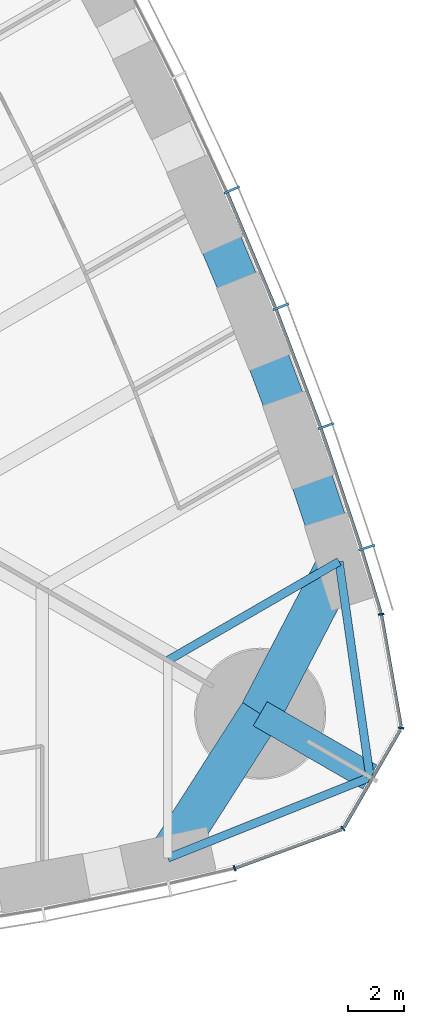
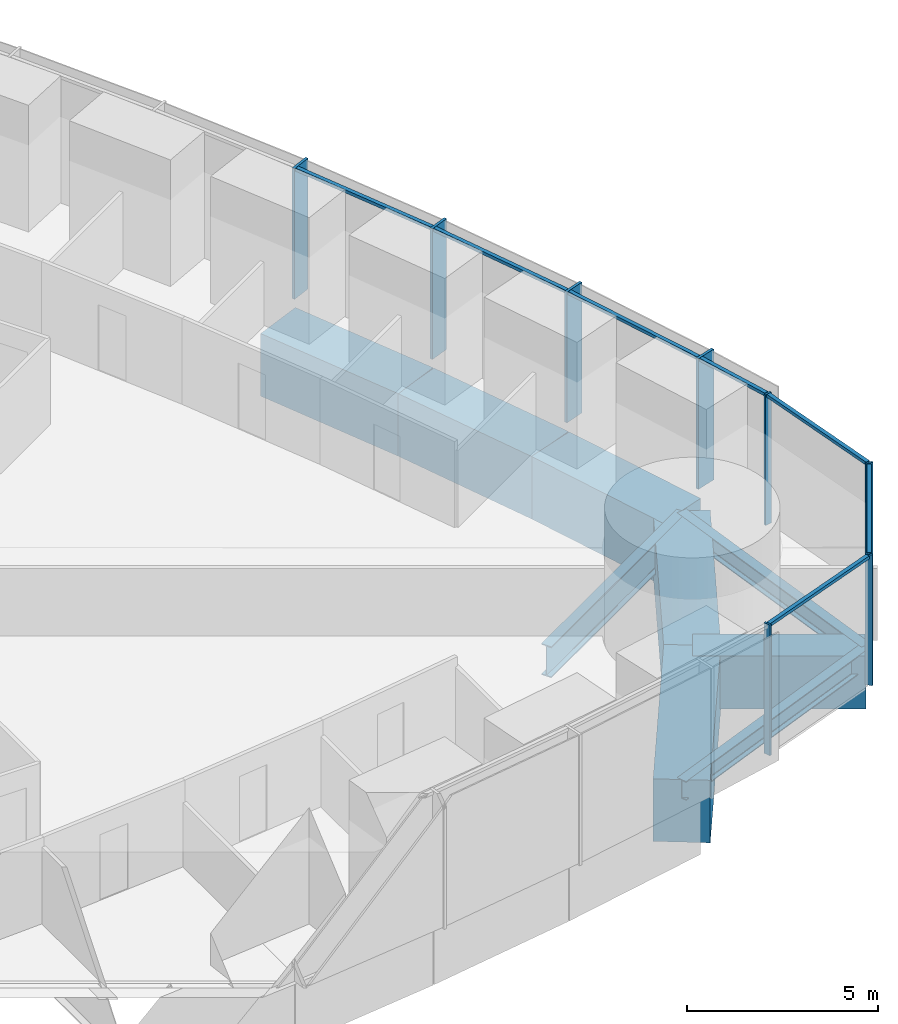
# One storey, part 7 of 20: 15 members, 9 beams, 2 elements without a shape of their own.
"""IFC4 building model written with IfcOpenShell, lengths in metres."""

from ifc_helpers import new_model, si_unit, direction, frame, origin, origin_2d, place, context, subcontext, project, spatial, rectangle, i_section, extrude, material, material_profile, profile_set, type_object, element, aggregate, save


model = new_model("IFC4")

# Units and contexts
model_context = context("Model", 3, precision=1e-05, world=origin(), true_north=direction((0.0, 1.0)))
body_context = subcontext(model_context, "Body", "Model", "MODEL_VIEW")
ifc_project = project(units=[si_unit("LENGTHUNIT", "METRE"), si_unit("AREAUNIT", "SQUARE_METRE"), si_unit("VOLUMEUNIT", "CUBIC_METRE"), si_unit("PLANEANGLEUNIT", "RADIAN"), si_unit("MASSUNIT", "GRAM", prefix="KILO")], contexts=[model_context])

# Site, building, storey
site_placement = place(None, origin())
site = spatial("IfcSite", under=ifc_project, at=site_placement, CompositionType="ELEMENT")
building_placement = place(site_placement, origin())
building = spatial("IfcBuilding", under=site, at=building_placement, Name="Trefoil Bronze Tower", CompositionType="ELEMENT")
storey_placement = place(building_placement, frame((0.0, 0.0, 103.10009765625)))
storey = spatial("IfcBuildingStorey", under=building, at=storey_placement, Name="L23", CompositionType="ELEMENT", Elevation=103.10009765625)

# Curtain wall, members
ifc_material_1 = material(Name="Tinted solar-control glass", Category="glass")
curtain_wall_type_1 = type_object("IfcCurtainWallType", Name="Bronze office curtain wall", PredefinedType="USERDEFINED", material=ifc_material_1)
curtain_wall_1_placement = place(storey_placement, origin())
curtain_wall_1 = element("IfcCurtainWall", 1, at=curtain_wall_1_placement, inside=storey, type_object=curtain_wall_type_1, Name="CW-A L23 F2", ObjectType="CURTAIN WALL", PredefinedType="USERDEFINED")
ifc_material_2 = material(Name="Bronze-finish aluminium", Category="aluminium")
ifc_material_profile_1 = material_profile(ifc_material_2, rectangle(XDim=0.60009765625, YDim=0.080078125, at=origin_2d()), Name="CW-A mullion")
ifc_profile_set_1 = profile_set([ifc_material_profile_1], Name="Bronze-finish aluminium")
member_type_1 = type_object("IfcMemberType", Name="Bronze office curtain wall mullion", PredefinedType="MULLION", material=ifc_profile_set_1)
member_1_placement = place(storey_placement, frame((34.1337890625, -11.543212890625, 0.0), z_axis=(0.0, 0.0, 1.0), x_axis=(-0.952331125357, -0.30506626768, 0.0)))
member_1 = element("IfcMember", 2, at=member_1_placement, type_object=member_type_1, Name="CW-A L23 F2 mullion 2", PredefinedType="MULLION", context=body_context, shape_type="SweptSolid", body=[
    extrude(rectangle(XDim=0.60009765625, YDim=0.080078125, at=origin_2d()), origin(), (0.0, 0.0, 1.0), 4.179931640625),
])
member_2_placement = place(storey_placement, frame((32.668701171875, -7.181884765625, 0.0), z_axis=(0.0, 0.0, 1.0), x_axis=(-0.94196250502, -0.335718094742, 0.0)))
member_2 = element("IfcMember", 3, at=member_2_placement, type_object=member_type_1, Name="CW-A L23 F2 mullion 3", PredefinedType="MULLION", context=body_context, shape_type="SweptSolid", body=[
    extrude(rectangle(XDim=0.60009765625, YDim=0.080078125, at=origin_2d()), origin(), (0.0, 0.0, 1.0), 4.179931640625),
])
member_3_placement = place(storey_placement, frame((31.055419921875, -2.90478515625, 0.0), z_axis=(0.0, 0.0, 1.0), x_axis=(-0.929071242848, -0.369900832269, 0.0)))
member_3 = element("IfcMember", 4, at=member_3_placement, type_object=member_type_1, Name="CW-A L23 F2 mullion 4", PredefinedType="MULLION", context=body_context, shape_type="SweptSolid", body=[
    extrude(rectangle(XDim=0.60009765625, YDim=0.080078125, at=origin_2d()), origin(), (0.0, 0.0, 1.0), 4.179931640625),
])
member_4_placement = place(storey_placement, frame((29.296875, 1.28857421875, 0.0), z_axis=(0.0, 0.0, 1.0), x_axis=(-0.915018269914, -0.40341240155, 0.0)))
member_4 = element("IfcMember", 5, at=member_4_placement, type_object=member_type_1, Name="CW-A L23 F2 mullion 5", PredefinedType="MULLION", context=body_context, shape_type="SweptSolid", body=[
    extrude(rectangle(XDim=0.60009765625, YDim=0.080078125, at=origin_2d()), origin(), (0.0, 0.0, 1.0), 4.179931640625),
])
ifc_material_3 = material(Name="Bronze-finish aluminium", Category="aluminium")
ifc_material_profile_2 = material_profile(ifc_material_3, rectangle(XDim=0.1201171875, YDim=0.10009765625, at=origin_2d()), Name="CW-A transom")
ifc_profile_set_2 = profile_set([ifc_material_profile_2], Name="Bronze-finish aluminium")
member_type_2 = type_object("IfcMemberType", Name="Bronze office curtain wall transom", PredefinedType="USERDEFINED", material=ifc_profile_set_2)
member_5_placement = place(storey_placement, frame((34.637939453125, -13.88232421875, 4.1298828125), z_axis=(-0.291680468798, 0.956515814883, 0.0), x_axis=(-0.956515814883, -0.291680468798, 0.0)))
member_5 = element("IfcMember", 6, at=member_5_placement, type_object=member_type_2, Name="CW-A L23 F2 transom 1", ObjectType="TRANSOM", PredefinedType="USERDEFINED", context=body_context, shape_type="SweptSolid", body=[
    extrude(rectangle(XDim=0.1201171875, YDim=0.10009765625, at=origin_2d()), origin(), (0.0, 0.0, 1.0), 2.34033203125),
])
member_6_placement = place(storey_placement, frame((33.929931640625, -11.56494140625, 4.1298828125), z_axis=(-0.318386323729, 0.947961048178, 0.0), x_axis=(-0.947961048178, -0.318386323729, 0.0)))
member_6 = element("IfcMember", 7, at=member_6_placement, type_object=member_type_2, Name="CW-A L23 F2 transom 2", ObjectType="TRANSOM", PredefinedType="USERDEFINED", context=body_context, shape_type="SweptSolid", body=[
    extrude(rectangle(XDim=0.1201171875, YDim=0.10009765625, at=origin_2d()), origin(), (0.0, 0.0, 1.0), 4.51123046875),
])
member_7_placement = place(storey_placement, frame((32.465576171875, -7.2099609375, 4.1298828125), z_axis=(-0.352932154759, 0.935648916067, 0.0), x_axis=(-0.935648916067, -0.352932154759, 0.0)))
member_7 = element("IfcMember", 8, at=member_7_placement, type_object=member_type_2, Name="CW-A L23 F2 transom 3", ObjectType="TRANSOM", PredefinedType="USERDEFINED", context=body_context, shape_type="SweptSolid", body=[
    extrude(rectangle(XDim=0.1201171875, YDim=0.10009765625, at=origin_2d()), origin(), (0.0, 0.0, 1.0), 4.48046875),
])
member_8_placement = place(storey_placement, frame((30.853515625, -2.940185546875, 4.1298828125), z_axis=(-0.386773266184, 0.922174842731, 0.0), x_axis=(-0.922174842731, -0.386773266184, 0.0)))
member_8 = element("IfcMember", 9, at=member_8_placement, type_object=member_type_2, Name="CW-A L23 F2 transom 4", ObjectType="TRANSOM", PredefinedType="USERDEFINED", context=body_context, shape_type="SweptSolid", body=[
    extrude(rectangle(XDim=0.1201171875, YDim=0.10009765625, at=origin_2d()), origin(), (0.0, 0.0, 1.0), 4.45654296875),
])
aggregate(curtain_wall_1, [member_1, member_2, member_3, member_4, member_5, member_6, member_7, member_8])

ifc_material_4 = material(Name="Tinted solar-control glass", Category="glass")
curtain_wall_type_2 = type_object("IfcCurtainWallType", Name="Bronze rounded corner curtain wall", PredefinedType="USERDEFINED", material=ifc_material_4)
curtain_wall_2_placement = place(storey_placement, origin())
curtain_wall_2 = element("IfcCurtainWall", 10, at=curtain_wall_2_placement, inside=storey, type_object=curtain_wall_type_2, Name="CW-B L23 K1", ObjectType="CURTAIN WALL", PredefinedType="USERDEFINED")
ifc_material_5 = material(Name="Bronze-finish aluminium", Category="aluminium")
ifc_material_profile_3 = material_profile(ifc_material_5, rectangle(XDim=0.199951171875, YDim=0.06005859375, at=origin_2d()), Name="CW-B mullion")
ifc_profile_set_3 = profile_set([ifc_material_profile_3], Name="Bronze-finish aluminium")
member_type_3 = type_object("IfcMemberType", Name="Bronze rounded corner curtain wall mullion", PredefinedType="MULLION", material=ifc_profile_set_3)
member_9_placement = place(storey_placement, frame((29.391845703125, -23.043701171875, 0.0), z_axis=(0.0, 0.0, 1.0), x_axis=(-0.342020143326, 0.939692620786, 0.0)))
member_9 = element("IfcMember", 11, at=member_9_placement, type_object=member_type_3, Name="CW-B L23 K1 mullion 1", PredefinedType="MULLION", context=body_context, shape_type="SweptSolid", body=[
    extrude(rectangle(XDim=0.199951171875, YDim=0.06005859375, at=origin_2d()), origin(), (0.0, 0.0, 1.0), 4.179931640625),
])
member_10_placement = place(storey_placement, frame((33.27880859375, -21.62255859375, 0.0), z_axis=(0.0, 0.0, 1.0), x_axis=(-0.642787609687, 0.766044443119, 0.0)))
member_10 = element("IfcMember", 12, at=member_10_placement, type_object=member_type_3, Name="CW-B L23 K1 mullion 2", PredefinedType="MULLION", context=body_context, shape_type="SweptSolid", body=[
    extrude(rectangle(XDim=0.199951171875, YDim=0.06005859375, at=origin_2d()), origin(), (0.0, 0.0, 1.0), 4.179931640625),
])
member_11_placement = place(storey_placement, frame((35.364990234375, -18.009033203125, 0.0), z_axis=(0.0, 0.0, 1.0), x_axis=(-0.984807753012, 0.173648177667, 0.0)))
member_11 = element("IfcMember", 13, at=member_11_placement, type_object=member_type_3, Name="CW-B L23 K1 mullion 3", PredefinedType="MULLION", context=body_context, shape_type="SweptSolid", body=[
    extrude(rectangle(XDim=0.199951171875, YDim=0.06005859375, at=origin_2d()), origin(), (0.0, 0.0, 1.0), 4.179931640625),
])
member_12_placement = place(storey_placement, frame((34.65234375, -13.932373046875, 0.0), z_axis=(0.0, 0.0, 1.0), x_axis=(-0.984807753012, -0.173648177667, 0.0)))
member_12 = element("IfcMember", 14, at=member_12_placement, type_object=member_type_3, Name="CW-B L23 K1 mullion 4", PredefinedType="MULLION", context=body_context, shape_type="SweptSolid", body=[
    extrude(rectangle(XDim=0.199951171875, YDim=0.06005859375, at=origin_2d()), origin(), (0.0, 0.0, 1.0), 4.179931640625),
])
ifc_material_6 = material(Name="Bronze-finish aluminium", Category="aluminium")
ifc_material_profile_4 = material_profile(ifc_material_6, rectangle(XDim=0.1201171875, YDim=0.10009765625, at=origin_2d()), Name="CW-B transom")
ifc_profile_set_4 = profile_set([ifc_material_profile_4], Name="Bronze-finish aluminium")
member_type_4 = type_object("IfcMemberType", Name="Bronze rounded corner curtain wall transom", PredefinedType="USERDEFINED", material=ifc_profile_set_4)
member_13_placement = place(storey_placement, frame((29.420166015625, -23.033447265625, 4.1298828125), z_axis=(0.939684096629, 0.342043562347, 0.0), x_axis=(-0.342043562347, 0.939684096629, 0.0)))
member_13 = element("IfcMember", 15, at=member_13_placement, type_object=member_type_4, Name="CW-B L23 K1 transom 1", ObjectType="TRANSOM", PredefinedType="USERDEFINED", context=body_context, shape_type="SweptSolid", body=[
    extrude(rectangle(XDim=0.1201171875, YDim=0.10009765625, at=origin_2d()), origin(), (0.0, 0.0, 1.0), 4.044189453125),
])
member_14_placement = place(storey_placement, frame((33.31591796875, -21.570068359375, 4.1298828125), z_axis=(0.500015078168, 0.866016698225, 0.0), x_axis=(-0.866016698225, 0.500015078168, 0.0)))
member_14 = element("IfcMember", 16, at=member_14_placement, type_object=member_type_4, Name="CW-B L23 K1 transom 2", ObjectType="TRANSOM", PredefinedType="USERDEFINED", context=body_context, shape_type="SweptSolid", body=[
    extrude(rectangle(XDim=0.1201171875, YDim=0.10009765625, at=origin_2d()), origin(), (0.0, 0.0, 1.0), 4.04443359375),
])
member_15_placement = place(storey_placement, frame((35.35986328125, -17.944580078125, 4.1298828125), z_axis=(-0.173682016639, 0.984801785689, 0.0), x_axis=(-0.984801785689, -0.173682016639, 0.0)))
member_15 = element("IfcMember", 17, at=member_15_placement, type_object=member_type_4, Name="CW-B L23 K1 transom 3", ObjectType="TRANSOM", PredefinedType="USERDEFINED", context=body_context, shape_type="SweptSolid", body=[
    extrude(rectangle(XDim=0.1201171875, YDim=0.10009765625, at=origin_2d()), origin(), (0.0, 0.0, 1.0), 4.044189453125),
])
aggregate(curtain_wall_2, [member_9, member_10, member_11, member_12, member_13, member_14, member_15])

# Beams
ifc_material_7 = material(Name="Concrete B80", Category="concrete")
ifc_material_profile_5 = material_profile(ifc_material_7, rectangle(XDim=1.0, YDim=1.699951171875, at=origin_2d()), Name="RC 1000x1700")
ifc_profile_set_5 = profile_set([ifc_material_profile_5], Name="Concrete B80")
beam_type_1 = type_object("IfcBeamType", Name="Corner cantilever RC 1000x1700", PredefinedType="BEAM", material=ifc_profile_set_5)
beam_1_placement = place(storey_placement, frame((30.310791015625, -17.5, -1.050048828125), z_axis=(0.866031878637, -0.499988785058, 0.0), x_axis=(0.499988785058, 0.866031878637, 0.0)))
element("IfcBeam", 18, at=beam_1_placement, inside=storey, type_object=beam_type_1, Name="Corner cantilever K1 L23", PredefinedType="BEAM", context=body_context, shape_type="SweptSolid", body=[
    extrude(rectangle(XDim=1.0, YDim=1.699951171875, at=origin_2d()), origin(), (0.0, 0.0, 1.0), 4.54931640625),
])
ifc_material_8 = material(Name="Steel C355", Category="steel")
ifc_material_profile_6 = material_profile(ifc_material_8, i_section(OverallWidth=0.300048828125, OverallDepth=0.60009765625, WebThickness=0.015380859375, FlangeThickness=0.030029296875, FilletRadius=0.027099609375, at=origin_2d()), Name="HEB 600")
ifc_profile_set_6 = profile_set([ifc_material_profile_6], Name="Steel C355")
beam_type_2 = type_object("IfcBeamType", Name="Corner edge beam HEB 600", PredefinedType="BEAM", material=ifc_profile_set_6)
for number, where, z_axis, x_axis, name in (
    (19, (27.0, -22.67724609375, -0.5), (0.928375332495, 0.371643972122, 0.0), (-0.371643972122, 0.928375332495, 0.0), "Corner edge beam F1A L23"),
    (20, (33.13916015625, -12.044189453125, -0.5), (0.142327214588, -0.989819662357, 0.0), (0.989819662357, 0.142327214588, 0.0), "Corner edge beam F2B L23"),
):
    element("IfcBeam", number, at=place(storey_placement, frame(where, z_axis=z_axis, x_axis=x_axis)), inside=storey, type_object=beam_type_2, Name=name, PredefinedType="BEAM", context=body_context, shape_type="SweptSolid", body=[
        extrude(i_section(OverallWidth=0.300048828125, OverallDepth=0.60009765625, WebThickness=0.015380859375, FlangeThickness=0.030029296875, FilletRadius=0.027099609375, at=origin_2d()), origin(), (0.0, 0.0, 1.0), 7.81005859375),
    ])
ifc_material_9 = material(Name="Concrete B80", Category="concrete")
ifc_material_profile_7 = material_profile(ifc_material_9, rectangle(XDim=1.5, YDim=2.0, at=origin_2d()), Name="RC 1500x2000")
ifc_profile_set_7 = profile_set([ifc_material_profile_7], Name="Concrete B80")
beam_type_3 = type_object("IfcBeamType", Name="End spandrel beam RC 1500x2000", PredefinedType="SPANDREL", material=ifc_profile_set_7)
for number, where, z_axis, x_axis, name in (
    (21, (27.0, -22.67724609375, -1.2001953125), (0.53874814953, 0.84246687257, 0.0), (-0.84246687257, 0.53874814953, 0.0), "Spandrel F1.14 L23"),
    (22, (30.310791015625, -17.5, -1.2001953125), (0.460244107083, 0.887792409235, 0.0), (-0.887792409235, 0.460244107083, 0.0), "Spandrel F2.1 L23"),
):
    element("IfcBeam", number, at=place(storey_placement, frame(where, z_axis=z_axis, x_axis=x_axis)), inside=storey, type_object=beam_type_3, Name=name, PredefinedType="SPANDREL", context=body_context, shape_type="SweptSolid", body=[
        extrude(rectangle(XDim=1.5, YDim=2.0, at=origin_2d()), origin(), (0.0, 0.0, 1.0), 6.145263671875),
    ])
ifc_material_10 = material(Name="Steel C355", Category="steel")
ifc_material_profile_8 = material_profile(ifc_material_10, i_section(OverallWidth=0.300048828125, OverallDepth=1.0, WebThickness=0.01904296875, FlangeThickness=0.035888671875, FilletRadius=0.030029296875, at=origin_2d()), Name="HEB 1000")
ifc_profile_set_8 = profile_set([ifc_material_profile_8], Name="Steel C355")
beam_type_4 = type_object("IfcBeamType", Name="Floor beam HEB 1000", PredefinedType="BEAM", material=ifc_profile_set_8)
beam_2_placement = place(storey_placement, frame((33.13916015625, -12.044189453125, -0.7001953125), z_axis=(-0.866041060244, -0.499972881236, 0.0), x_axis=(0.499972881236, -0.866041060244, 0.0)))
element("IfcBeam", 23, at=beam_2_placement, inside=storey, type_object=beam_type_4, Name="Floor beam F2/-6 L23", PredefinedType="BEAM", context=body_context, shape_type="SweptSolid", body=[
    extrude(i_section(OverallWidth=0.300048828125, OverallDepth=1.0, WebThickness=0.01904296875, FlangeThickness=0.035888671875, FilletRadius=0.030029296875, at=origin_2d()), origin(), (0.0, 0.0, 1.0), 7.0888671875),
])
ifc_material_11 = material(Name="Concrete B80", Category="concrete")
ifc_material_profile_9 = material_profile(ifc_material_11, rectangle(XDim=1.5, YDim=2.0, at=origin_2d()), Name="RC 1500x2000")
ifc_profile_set_9 = profile_set([ifc_material_profile_9], Name="Concrete B80")
beam_type_5 = type_object("IfcBeamType", Name="Spandrel beam RC 1500x2000", PredefinedType="SPANDREL", material=ifc_profile_set_9)
beam_3_placement = place(storey_placement, frame((33.13916015625, -12.044189453125, -1.2001953125), z_axis=(-0.31732802068, 0.948315837309, 0.0), x_axis=(-0.948315837309, -0.31732802068, 0.0)))
element("IfcBeam", 24, at=beam_3_placement, inside=storey, type_object=beam_type_5, Name="Spandrel F2.2 L23", PredefinedType="SPANDREL", context=body_context, shape_type="SweptSolid", body=[
    extrude(rectangle(XDim=1.5, YDim=2.0, at=origin_2d()), origin(), (0.0, 0.0, 1.0), 4.59228515625),
])
beam_4_placement = place(storey_placement, frame((31.681884765625, -7.689208984375, -1.2001953125), z_axis=(-0.351938675523, 0.936023059904, 0.0), x_axis=(-0.936023059904, -0.351938675523, 0.0)))
element("IfcBeam", 25, at=beam_4_placement, inside=storey, type_object=beam_type_5, Name="Spandrel F2.3 L23", PredefinedType="SPANDREL", context=body_context, shape_type="SweptSolid", body=[
    extrude(rectangle(XDim=1.5, YDim=2.0, at=origin_2d()), origin(), (0.0, 0.0, 1.0), 4.56103515625),
])
beam_5_placement = place(storey_placement, frame((30.07666015625, -3.419921875, -1.2001953125), z_axis=(-0.386013490858, 0.922493135408, 0.0), x_axis=(-0.922493135408, -0.386013490858, 0.0)))
element("IfcBeam", 26, at=beam_5_placement, inside=storey, type_object=beam_type_5, Name="Spandrel F2.4 L23", PredefinedType="SPANDREL", context=body_context, shape_type="SweptSolid", body=[
    extrude(rectangle(XDim=1.5, YDim=2.0, at=origin_2d()), origin(), (0.0, 0.0, 1.0), 4.53662109375),
])

save(model, "model.ifc")
